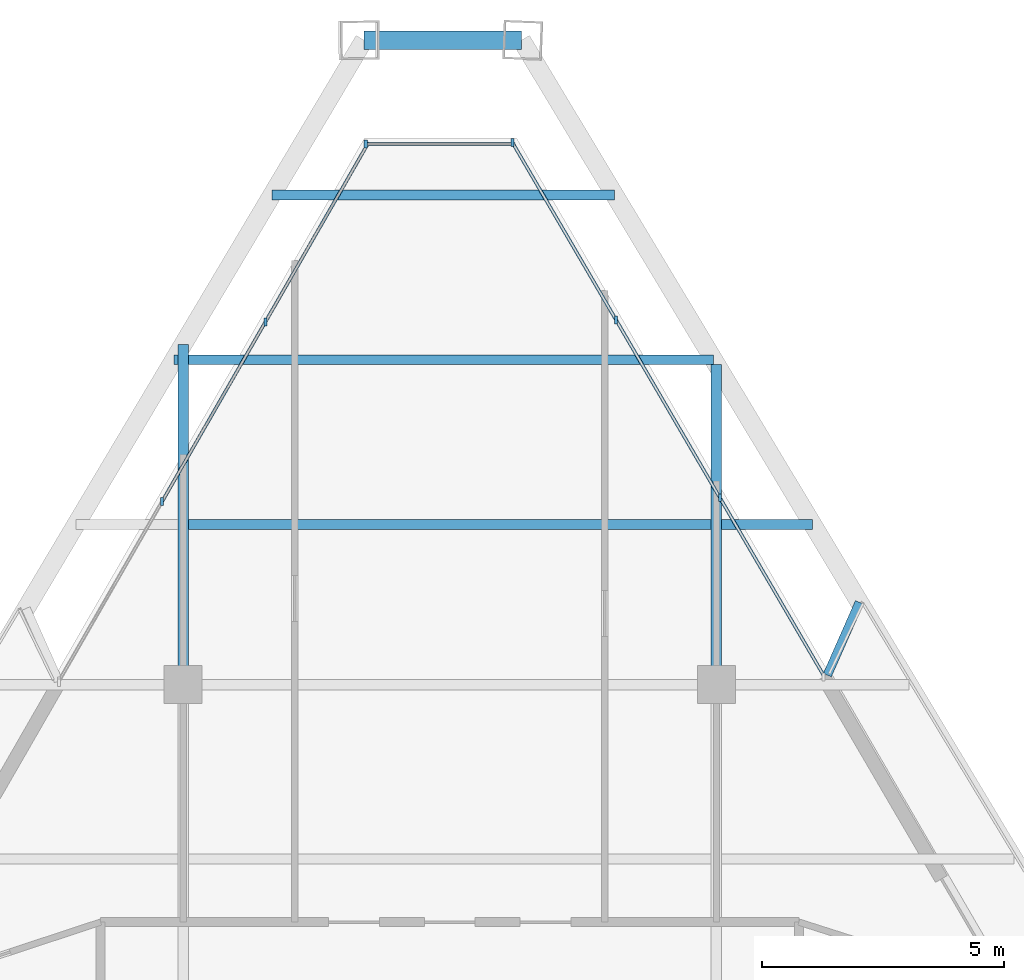
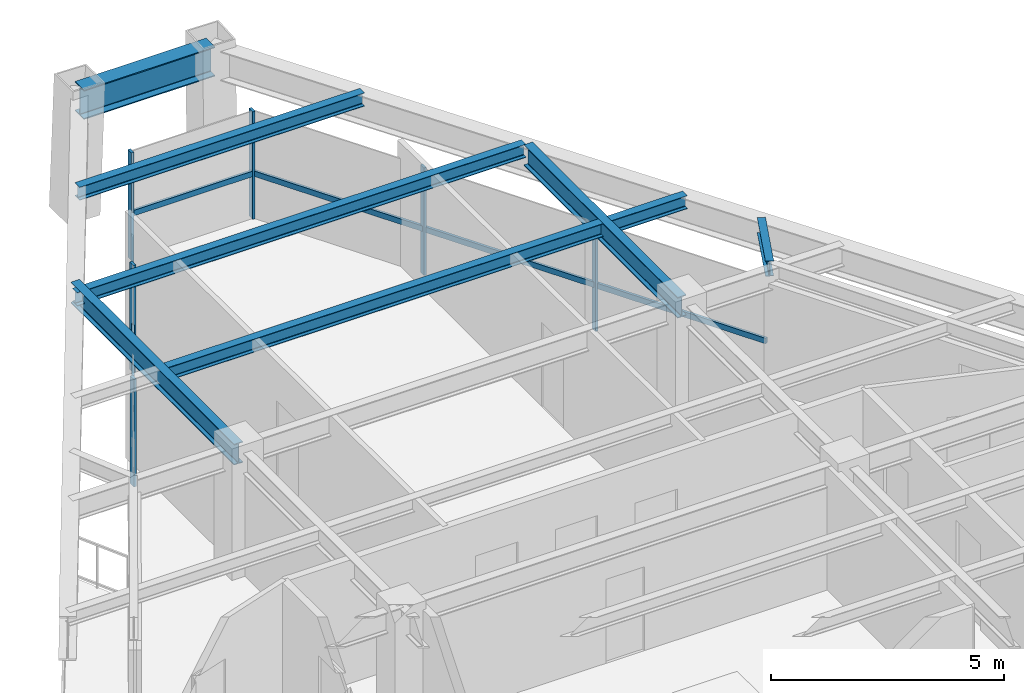
# One storey, part 7 of 13: 12 members, 8 beams, 3 elements without a shape of their own.
"""IFC4 building model written with IfcOpenShell, lengths in metres."""

import ifcopenshell
import ifcopenshell.guid

model = None  # the IFC model being written
_history = None  # IfcOwnerHistory: only IFC2X3 demands one
_inside = {}  # id of a spatial element -> (the spatial element, [elements in it])
_under = {}  # id of a project, library or spatial element -> (it, [spatial elements below it])
_declared = {}  # id of a project -> (the project, [libraries it declares])
_typed = {}  # id of a type object -> (the type object, [elements of that type])
_made_of = {}  # id of a material, layer set ... -> (it, [elements and type objects made of it])


def new_model(schema):
    """Start an empty IFC model of exactly this schema.

    Asked for "IFC4X3", IfcOpenShell would pick the latest addendum, in which some entities
    have other attributes; the version numbers below select the first issue.
    IFC2X3 requires an IfcOwnerHistory on every rooted entity: one is made here for all.
    """
    global model, _history
    if schema == "IFC4X3":
        model = ifcopenshell.file(schema_version=(4, 3, 0, 0))
    else:
        model = ifcopenshell.file(schema=schema)
    _inside.clear()
    _under.clear()
    _declared.clear()
    _typed.clear()
    _made_of.clear()
    _history = None
    if model.schema == "IFC2X3":
        org = make("IfcOrganization", Name="unknown")
        user = make(
            "IfcPersonAndOrganization",
            ThePerson=make("IfcPerson", FamilyName="unknown"),
            TheOrganization=org,
        )
        app = make(
            "IfcApplication",
            ApplicationDeveloper=org,
            Version="unknown",
            ApplicationFullName="unknown",
            ApplicationIdentifier="unknown",
        )
        _history = make(
            "IfcOwnerHistory",
            OwningUser=user,
            OwningApplication=app,
            ChangeAction="ADDED",
            CreationDate=0,
        )
    return model


def make(cls, **values):
    """One entity of the class cls with the attributes given. An attribute that is None is left unset."""
    return model.create_entity(
        cls, **{name: value for name, value in values.items() if value is not None}
    )


def rooted(cls, **values):
    """An entity with a GlobalId (a new one), such as an element, a storey or a relation."""
    return make(cls, GlobalId=ifcopenshell.guid.new(), OwnerHistory=_history, **values)


def si_unit(unit_type, name, prefix=None):
    """IfcSIUnit, for example si_unit("LENGTHUNIT", "METRE", prefix="MILLI")."""
    return make("IfcSIUnit", UnitType=unit_type, Prefix=prefix, Name=name)


def assignment(units):
    """IfcUnitAssignment: the units of a project."""
    return None if units is None else make("IfcUnitAssignment", Units=units)


def point(xyz):
    """IfcCartesianPoint."""
    return None if xyz is None else make("IfcCartesianPoint", Coordinates=xyz)


def direction(xyz):
    """IfcDirection."""
    return None if xyz is None else make("IfcDirection", DirectionRatios=xyz)


def frame(location, z_axis=None, x_axis=None):
    """IfcAxis2Placement3D, a coordinate frame: its origin and axes. An axis left out is left unset."""
    return make(
        "IfcAxis2Placement3D",
        Location=point(location),
        Axis=direction(z_axis),
        RefDirection=direction(x_axis),
    )


def frame_2d(location, x_axis=None):
    """IfcAxis2Placement2D, a coordinate frame in the plane: its origin and x axis."""
    return make(
        "IfcAxis2Placement2D", Location=point(location), RefDirection=direction(x_axis)
    )


def origin():
    """The frame at (0, 0, 0) with its axes left unset."""
    return frame((0.0, 0.0, 0.0))


def origin_2d():
    """The frame at (0, 0) in the plane with its x axis left unset."""
    return frame_2d((0.0, 0.0))


def place(relative_to, where):
    """IfcLocalPlacement: puts the frame where relative to a parent placement (None: the world)."""
    return make(
        "IfcLocalPlacement", PlacementRelTo=relative_to, RelativePlacement=where
    )


def context(
    kind, dimensions, precision=None, world=None, true_north=None, identifier=None
):
    """IfcGeometricRepresentationContext, for example the 3D "Model" context."""
    return make(
        "IfcGeometricRepresentationContext",
        ContextIdentifier=identifier,
        ContextType=kind,
        CoordinateSpaceDimension=dimensions,
        Precision=precision,
        WorldCoordinateSystem=world,
        TrueNorth=true_north,
    )


def subcontext(parent, identifier, kind, view, scale=None):
    """IfcGeometricRepresentationSubContext, for example "Body" below "Model"."""
    return make(
        "IfcGeometricRepresentationSubContext",
        ContextIdentifier=identifier,
        ContextType=kind,
        ParentContext=parent,
        TargetScale=scale,
        TargetView=view,
    )


def project(units=None, contexts=None):
    """IfcProject with its units and contexts."""
    return rooted(
        "IfcProject",
        Name="project",
        RepresentationContexts=contexts,
        UnitsInContext=assignment(units),
    )


def spatial(cls, under=None, at=None, **own):
    """A site, building, storey or space (cls), placed at a placement, below another one or the project."""
    s = rooted(cls, ObjectPlacement=at, **own)
    if under is not None:
        _under.setdefault(under.id(), (under, []))[1].append(s)
    return s


def profile(cls, at=None, kind="AREA", **sizes):
    """A parametric profile (cls). Its sizes go by their IFC names, for example OverallWidth=200.0."""
    return make(cls, ProfileType=kind, Position=at, **sizes)


def rectangle(**sizes):
    """IfcRectangleProfileDef."""
    return profile("IfcRectangleProfileDef", **sizes)


def i_section(**sizes):
    """IfcIShapeProfileDef."""
    return profile("IfcIShapeProfileDef", **sizes)


def extrude(swept, where, along, depth):
    """IfcExtrudedAreaSolid: the profile swept, set in the frame where, extruded along a direction by depth."""
    return make(
        "IfcExtrudedAreaSolid",
        SweptArea=swept,
        Position=where,
        ExtrudedDirection=direction(along),
        Depth=depth,
    )


def shape(context_of_items, identifier, shape_type, items):
    """IfcShapeRepresentation: the items that make up one representation, for example the "Body"."""
    return make(
        "IfcShapeRepresentation",
        ContextOfItems=context_of_items,
        RepresentationIdentifier=identifier,
        RepresentationType=shape_type,
        Items=items,
    )


def source(mapping_origin, context_of_items, identifier, shape_type, items):
    """IfcRepresentationMap: a shape defined once, which mapped items show again and again."""
    return make(
        "IfcRepresentationMap",
        MappingOrigin=mapping_origin,
        MappedRepresentation=shape(context_of_items, identifier, shape_type, items),
    )


def transform(
    local_origin,
    x_axis=None,
    y_axis=None,
    z_axis=None,
    scale=None,
    scale2=None,
    scale3=None,
    uniform=True,
):
    """IfcCartesianTransformationOperator3D, or its non-uniform kind. x_axis, y_axis, z_axis: its Axis1, 2, 3."""
    if uniform:
        return make(
            "IfcCartesianTransformationOperator3D",
            Axis1=direction(x_axis),
            Axis2=direction(y_axis),
            LocalOrigin=point(local_origin),
            Scale=scale,
            Axis3=direction(z_axis),
        )
    return make(
        "IfcCartesianTransformationOperator3DnonUniform",
        Axis1=direction(x_axis),
        Axis2=direction(y_axis),
        LocalOrigin=point(local_origin),
        Scale=scale,
        Axis3=direction(z_axis),
        Scale2=scale2,
        Scale3=scale3,
    )


def mapped(mapping_source, mapping_target):
    """IfcMappedItem: shows the shape of a source again, moved by a transform."""
    return make(
        "IfcMappedItem", MappingSource=mapping_source, MappingTarget=mapping_target
    )


def material(Name=None, Category=None):
    """IfcMaterial."""
    return make("IfcMaterial", Name=Name, Category=Category)


def material_profile(
    of_material, cross_section, Name=None, Category=None, Priority=None
):
    """IfcMaterialProfile: a cross section and its material."""
    return make(
        "IfcMaterialProfile",
        Name=Name,
        Material=of_material,
        Profile=cross_section,
        Priority=Priority,
        Category=Category,
    )


def profile_set(profiles, Name=None, composite=None):
    """IfcMaterialProfileSet."""
    return make(
        "IfcMaterialProfileSet",
        Name=Name,
        MaterialProfiles=profiles,
        CompositeProfile=composite,
    )


def made_of(thing, what):
    """Note that an element or type object is made of a material, layer set ...; save() writes the relation."""
    if what is not None:
        _made_of.setdefault(what.id(), (what, []))[1].append(thing)
    return thing


def type_object(cls, material=None, **own):
    """A type object (cls), such as IfcWallType, which elements share."""
    return made_of(rooted(cls, **own), material)


def type_shapes(of_type, sources):
    """Give a type object the sources (RepresentationMaps) that its elements show as mapped items."""
    of_type.RepresentationMaps = sources


def element(
    cls,
    number,
    at=None,
    inside=None,
    cuts=None,
    type_object=None,
    material=None,
    context=None,
    identifier="Body",
    shape_type=None,
    held_by="IfcProductDefinitionShape",
    body=None,
    shapes=None,
    **own,
):
    """One element of the class cls, such as IfcWall. Its Tag is "e" and its number.

    at: its placement. inside: the storey or other place that contains it. cuts: it is an
    opening in that element (IfcRelVoidsElement). A single representation is given by context,
    identifier, shape_type and body (its items); several are given by shapes. held_by: the class
    of the entity that holds the representations. save() writes the other relations.
    """
    e = rooted(cls, Tag="e%d" % number, ObjectPlacement=at, **own)
    if body is not None:
        shapes = [shape(context, identifier, shape_type, body)]
    if shapes is not None:
        e.Representation = make(held_by, Representations=shapes)
    if inside is not None:
        _inside.setdefault(inside.id(), (inside, []))[1].append(e)
    if cuts is not None:
        rooted(
            "IfcRelVoidsElement", RelatingBuildingElement=cuts, RelatedOpeningElement=e
        )
    if type_object is not None:
        _typed.setdefault(type_object.id(), (type_object, []))[1].append(e)
    return made_of(e, material)


def aggregate(whole, parts):
    """IfcRelAggregates: a whole, such as a stair, and the parts it consists of."""
    return rooted("IfcRelAggregates", RelatingObject=whole, RelatedObjects=parts)


def save(model, path):
    """Write the relations noted so far, then the file.

    IfcRelAggregates (storeys below a building ...), IfcRelContainedInSpatialStructure (elements
    in a storey), IfcRelDefinesByType, IfcRelAssociatesMaterial and IfcRelDeclares: one each for
    every whole, place, type object, material and project.
    """
    for whole, parts in _under.values():
        aggregate(whole, parts)
    for where, things in _inside.values():
        rooted(
            "IfcRelContainedInSpatialStructure",
            RelatedElements=things,
            RelatingStructure=where,
        )
    for kind, things in _typed.values():
        rooted("IfcRelDefinesByType", RelatedObjects=things, RelatingType=kind)
    for what, things in _made_of.values():
        rooted("IfcRelAssociatesMaterial", RelatedObjects=things, RelatingMaterial=what)
    for by, libraries in _declared.values():
        rooted("IfcRelDeclares", RelatingContext=by, RelatedDefinitions=libraries)
    model.write(path)


model = new_model("IFC4")

# Units and contexts
model_context = context("Model", 3, precision=1e-05, world=origin(), true_north=direction((0.0, 1.0)))
body_context = subcontext(model_context, "Body", "Model", "MODEL_VIEW")
ifc_project = project(units=[si_unit("LENGTHUNIT", "METRE"), si_unit("AREAUNIT", "SQUARE_METRE"), si_unit("VOLUMEUNIT", "CUBIC_METRE"), si_unit("PLANEANGLEUNIT", "RADIAN"), si_unit("MASSUNIT", "GRAM", prefix="KILO")], contexts=[model_context])

# Site, building, storey
site_placement = place(None, origin())
site = spatial("IfcSite", under=ifc_project, at=site_placement, CompositionType="ELEMENT")
building_placement = place(site_placement, origin())
building = spatial("IfcBuilding", under=site, at=building_placement, Name="Varnakhor Terracotta Tower", CompositionType="ELEMENT")
storey_placement = place(building_placement, frame((0.0, 0.0, 286.800048828125)))
storey = spatial("IfcBuildingStorey", under=building, at=storey_placement, Name="L75", CompositionType="ELEMENT", Elevation=286.800048828125)

# Beams
ifc_material_1 = material(Name="Steel S355", Category="steel")
ifc_material_profile_1 = material_profile(ifc_material_1, i_section(OverallWidth=0.202880859375, OverallDepth=0.346923828125, WebThickness=0.0078125, FlangeThickness=0.013427734375, FilletRadius=0.01806640625, at=origin_2d()), Name="W14X43")
ifc_profile_set_1 = profile_set([ifc_material_profile_1], Name="Steel S355")
beam_type_1 = type_object("IfcBeamType", Name="JST-W14X43", PredefinedType="JOIST", material=ifc_profile_set_1)
shared_shape_1 = source(origin(), body_context, "Body", "SweptSolid", [
    extrude(i_section(OverallWidth=0.202880859375, OverallDepth=0.346923828125, WebThickness=0.0078125, FlangeThickness=0.013427734375, FilletRadius=0.01806640625, at=origin_2d()), origin(), (0.0, 0.0, 1.0), 10.7939453125),
])
beam_1_placement = place(storey_placement, frame((-5.39697265625, 34.800048828125, 3.06640625), z_axis=(1.0, 0.0, 0.0), x_axis=(0.0, 1.0, 0.0)))
element("IfcBeam", 1, at=beam_1_placement, inside=storey, type_object=beam_type_1, Name="L75 Composite Floor Joist 7-2", PredefinedType="JOIST", context=body_context, shape_type="MappedRepresentation", body=[
    mapped(shared_shape_1, transform((0.0, 0.0, 0.0), scale=1.0)),
])
ifc_material_profile_2 = material_profile(ifc_material_1, i_section(OverallWidth=0.381103515625, OverallDepth=0.77294921875, WebThickness=0.01708984375, FlangeThickness=0.027099609375, FilletRadius=0.01806640625, at=origin_2d()), Name="W30X173")
ifc_profile_set_2 = profile_set([ifc_material_profile_2], Name="Steel S355")
beam_type_2 = type_object("IfcBeamType", Name="BM-W30X173", PredefinedType="BEAM", material=ifc_profile_set_2)
shared_shape_2 = source(origin(), body_context, "Body", "SweptSolid", [
    extrude(i_section(OverallWidth=0.381103515625, OverallDepth=0.77294921875, WebThickness=0.01708984375, FlangeThickness=0.027099609375, FilletRadius=0.01806640625, at=origin_2d()), origin(), (0.0, 0.0, 1.0), 3.24951171875),
])
beam_2_placement = place(storey_placement, frame((1.480224609375, 44.79248046875, 2.853515625), z_axis=(-1.0, 0.0, 0.0), x_axis=(0.0, -1.0, 0.0)))
element("IfcBeam", 2, at=beam_2_placement, inside=storey, type_object=beam_type_2, Name="L75 Perimeter Spandrel 5", PredefinedType="BEAM", context=body_context, shape_type="MappedRepresentation", body=[
    mapped(shared_shape_2, transform((0.0, 0.0, 0.0), scale=1.0)),
])
ifc_material_profile_3 = material_profile(ifc_material_1, i_section(OverallWidth=0.214111328125, OverallDepth=0.549072265625, WebThickness=0.014892578125, FlangeThickness=0.02392578125, FilletRadius=0.01806640625, at=origin_2d()), Name="W21X93")
ifc_profile_set_3 = profile_set([ifc_material_profile_3], Name="Steel S355")
beam_type_3 = type_object("IfcBeamType", Name="BM-W21X93", PredefinedType="BEAM", material=ifc_profile_set_3)
shared_shape_3 = source(origin(), body_context, "Body", "SweptSolid", [
    extrude(i_section(OverallWidth=0.214111328125, OverallDepth=0.549072265625, WebThickness=0.014892578125, FlangeThickness=0.02392578125, FilletRadius=0.01806640625, at=origin_2d()), origin(), (0.0, 0.0, 1.0), 7.018798828125),
])
beam_3_placement = place(storey_placement, frame((-5.5, 31.5, 2.96533203125), z_axis=(0.0, 1.0, 0.0), x_axis=(-1.0, 0.0, 0.0)))
element("IfcBeam", 3, at=beam_3_placement, inside=storey, type_object=beam_type_3, Name="L75 Primary Girder NS3-W", PredefinedType="BEAM", context=body_context, shape_type="MappedRepresentation", body=[
    mapped(shared_shape_3, transform((0.0, 0.0, 0.0), scale=1.0)),
])
shared_shape_4 = source(origin(), body_context, "Body", "SweptSolid", [
    extrude(i_section(OverallWidth=0.214111328125, OverallDepth=0.549072265625, WebThickness=0.014892578125, FlangeThickness=0.02392578125, FilletRadius=0.01806640625, at=origin_2d()), origin(), (0.0, 0.0, 1.0), 6.605224609375),
])
beam_4_placement = place(storey_placement, frame((5.5, 31.5, 2.96533203125), z_axis=(0.0, 1.0, 0.0), x_axis=(-1.0, 0.0, 0.0)))
element("IfcBeam", 4, at=beam_4_placement, inside=storey, type_object=beam_type_3, Name="L75 Primary Girder NS3-E", PredefinedType="BEAM", context=body_context, shape_type="MappedRepresentation", body=[
    mapped(shared_shape_4, transform((0.0, 0.0, 0.0), scale=1.0)),
])
shared_shape_5 = source(origin(), body_context, "Body", "SweptSolid", [
    extrude(i_section(OverallWidth=0.202880859375, OverallDepth=0.346923828125, WebThickness=0.0078125, FlangeThickness=0.013427734375, FilletRadius=0.01806640625, at=origin_2d()), origin(), (0.0, 0.0, 1.0), 1.8837890625),
])
beam_5_placement = place(storey_placement, frame((5.60302734375, 34.800048828125, 3.06640625), z_axis=(1.0, 0.0, 0.0), x_axis=(0.0, 1.0, 0.0)))
element("IfcBeam", 5, at=beam_5_placement, inside=storey, type_object=beam_type_1, Name="L75 Composite Floor Joist 7-3", PredefinedType="JOIST", context=body_context, shape_type="MappedRepresentation", body=[
    mapped(shared_shape_5, transform((0.0, 0.0, 0.0), scale=1.0)),
])
shared_shape_6 = source(origin(), body_context, "Body", "SweptSolid", [
    extrude(i_section(OverallWidth=0.202880859375, OverallDepth=0.346923828125, WebThickness=0.0078125, FlangeThickness=0.013427734375, FilletRadius=0.01806640625, at=origin_2d()), origin(), (0.0, 0.0, 1.0), 11.1328125),
])
beam_6_placement = place(storey_placement, frame((-5.689697265625, 38.199951171875, 3.06640625), z_axis=(1.0, 0.0, 0.0), x_axis=(0.0, 1.0, 0.0)))
element("IfcBeam", 6, at=beam_6_placement, inside=storey, type_object=beam_type_1, Name="L75 Composite Floor Joist 8-1", PredefinedType="JOIST", context=body_context, shape_type="MappedRepresentation", body=[
    mapped(shared_shape_6, transform((0.0, 0.0, 0.0), scale=1.0)),
])
shared_shape_7 = source(origin(), body_context, "Body", "SweptSolid", [
    extrude(i_section(OverallWidth=0.202880859375, OverallDepth=0.346923828125, WebThickness=0.0078125, FlangeThickness=0.013427734375, FilletRadius=0.01806640625, at=origin_2d()), origin(), (0.0, 0.0, 1.0), 7.067138671875),
])
beam_7_placement = place(storey_placement, frame((-3.667724609375, 41.60009765625, 3.06640625), z_axis=(1.0, 0.0, 0.0), x_axis=(0.0, 1.0, 0.0)))
element("IfcBeam", 7, at=beam_7_placement, inside=storey, type_object=beam_type_1, Name="L75 Composite Floor Joist 9-1", PredefinedType="JOIST", context=body_context, shape_type="MappedRepresentation", body=[
    mapped(shared_shape_7, transform((0.0, 0.0, 0.0), scale=1.0)),
])

# Curtain wall, members
ifc_material_2 = material(Name="Anodised Aluminium Curtain Wall System", Category="aluminium")
curtain_wall_type = type_object("IfcCurtainWallType", Name="CW-SYS-HOTEL-LOGGIA", PredefinedType="NOTDEFINED", material=ifc_material_2)
curtain_wall_1_placement = place(storey_placement, origin())
curtain_wall_1 = element("IfcCurtainWall", 8, at=curtain_wall_1_placement, inside=storey, type_object=curtain_wall_type, Name="L75 W Facet Curtain Wall 2", PredefinedType="NOTDEFINED")
ifc_material_3 = material(Name="Anodised Aluminium 6063-T6", Category="aluminium")
ifc_material_profile_4 = material_profile(ifc_material_3, rectangle(XDim=0.06494140625, YDim=0.159912109375, at=origin_2d()), Name="ALU MULLION 65x160")
ifc_profile_set_4 = profile_set([ifc_material_profile_4], Name="Anodised Aluminium 6063-T6")
member_type_1 = type_object("IfcMemberType", Name="CWM-04", PredefinedType="MULLION", material=ifc_profile_set_4)
shared_shape_8 = source(origin(), body_context, "Body", "SweptSolid", [
    extrude(rectangle(XDim=0.06494140625, YDim=0.159912109375, at=origin_2d()), origin(), (0.0, 0.0, 1.0), 2.820068359375),
])
type_shapes(member_type_1, [shared_shape_8])
member_1_placement = place(storey_placement, frame((-5.9326171875, 35.27587890625, 0.0), z_axis=(0.0, 0.0, 1.0), x_axis=(1.0, 0.0, 0.0)))
member_1 = element("IfcMember", 9, at=member_1_placement, type_object=member_type_1, Name="L75 W Facet Curtain Wall 2 Mullion 2", PredefinedType="MULLION", context=body_context, shape_type="MappedRepresentation", body=[
    mapped(shared_shape_8, transform((0.0, 0.0, 0.0), scale=1.0)),
])
member_2_placement = place(storey_placement, frame((-3.802490234375, 38.979736328125, 0.0), z_axis=(0.0, 0.0, 1.0), x_axis=(1.0, 0.0, 0.0)))
member_2 = element("IfcMember", 10, at=member_2_placement, type_object=member_type_1, Name="L75 W Facet Curtain Wall 2 Mullion 3", PredefinedType="MULLION", context=body_context, shape_type="MappedRepresentation", body=[
    mapped(shared_shape_8, transform((0.0, 0.0, 0.0), scale=1.0)),
])

# Curtain wall, member
curtain_wall_2_placement = place(storey_placement, origin())
curtain_wall_2 = element("IfcCurtainWall", 11, at=curtain_wall_2_placement, inside=storey, type_object=curtain_wall_type, Name="L75 Facet Curtain Wall 2", PredefinedType="NOTDEFINED")
member_3_placement = place(storey_placement, frame((-1.731689453125, 42.6494140625, 0.0), z_axis=(0.0, 0.0, 1.0), x_axis=(1.0, 0.0, 0.0)))
member_3 = element("IfcMember", 12, at=member_3_placement, type_object=member_type_1, Name="L75 Facet Curtain Wall 2 Mullion 1", PredefinedType="MULLION", context=body_context, shape_type="MappedRepresentation", body=[
    mapped(shared_shape_8, transform((0.0, 0.0, 0.0), scale=1.0)),
])

# Curtain wall, members
curtain_wall_3_placement = place(storey_placement, origin())
curtain_wall_3 = element("IfcCurtainWall", 13, at=curtain_wall_3_placement, inside=storey, type_object=curtain_wall_type, Name="L75 E Facet Curtain Wall 1", PredefinedType="NOTDEFINED")
member_4_placement = place(storey_placement, frame((1.29150390625, 42.68310546875, 0.0), z_axis=(0.0, 0.0, 1.0), x_axis=(1.0, 0.0, 0.0)))
member_4 = element("IfcMember", 14, at=member_4_placement, type_object=member_type_1, Name="L75 E Facet Curtain Wall 1 Mullion 1", PredefinedType="MULLION", context=body_context, shape_type="MappedRepresentation", body=[
    mapped(shared_shape_8, transform((0.0, 0.0, 0.0), scale=1.0)),
])
member_5_placement = place(storey_placement, frame((3.431396484375, 39.01904296875, 0.0), z_axis=(0.0, 0.0, 1.0), x_axis=(1.0, 0.0, 0.0)))
member_5 = element("IfcMember", 15, at=member_5_placement, type_object=member_type_1, Name="L75 E Facet Curtain Wall 1 Mullion 2", PredefinedType="MULLION", context=body_context, shape_type="MappedRepresentation", body=[
    mapped(shared_shape_8, transform((0.0, 0.0, 0.0), scale=1.0)),
])
member_6_placement = place(storey_placement, frame((5.57080078125, 35.355224609375, 0.0), z_axis=(0.0, 0.0, 1.0), x_axis=(1.0, 0.0, 0.0)))
member_6 = element("IfcMember", 16, at=member_6_placement, type_object=member_type_1, Name="L75 E Facet Curtain Wall 1 Mullion 3", PredefinedType="MULLION", context=body_context, shape_type="MappedRepresentation", body=[
    mapped(shared_shape_8, transform((0.0, 0.0, 0.0), scale=1.0)),
])

# Beam
ifc_material_profile_5 = material_profile(ifc_material_1, i_section(OverallWidth=0.179931640625, OverallDepth=0.39990234375, WebThickness=0.008544921875, FlangeThickness=0.013427734375, FilletRadius=0.01806640625, at=origin_2d()), Name="IPE400")
ifc_profile_set_5 = profile_set([ifc_material_profile_5], Name="Steel S355")
beam_type_4 = type_object("IfcBeamType", Name="JST-IPE400", PredefinedType="JOIST", material=ifc_profile_set_5)
shared_shape_9 = source(origin(), body_context, "Body", "SweptSolid", [
    extrude(i_section(OverallWidth=0.179931640625, OverallDepth=0.39990234375, WebThickness=0.008544921875, FlangeThickness=0.013427734375, FilletRadius=0.01806640625, at=origin_2d()), origin(), (0.0, 0.0, 1.0), 1.64208984375),
])
beam_8_placement = place(storey_placement, frame((7.78759765625, 31.694580078125, 3.0400390625), z_axis=(0.403640206576, 0.914917801573, 0.0), x_axis=(-0.914917801573, 0.403640206576, 0.0)))
element("IfcBeam", 17, at=beam_8_placement, inside=storey, type_object=beam_type_4, Name="L76 E Loggia Tie Beam 1", PredefinedType="JOIST", context=body_context, shape_type="MappedRepresentation", body=[
    mapped(shared_shape_9, transform((0.0, 0.0, 0.0), scale=1.0)),
])

# Member
ifc_material_profile_6 = material_profile(ifc_material_3, rectangle(XDim=0.06494140625, YDim=0.14501953125, at=origin_2d()), Name="ALU TRANSOM 65x145")
ifc_profile_set_6 = profile_set([ifc_material_profile_6], Name="Anodised Aluminium 6063-T6")
member_type_2 = type_object("IfcMemberType", Name="CWT-04", PredefinedType="USERDEFINED", material=ifc_profile_set_6)
shared_shape_10 = source(origin(), body_context, "Body", "SweptSolid", [
    extrude(rectangle(XDim=0.06494140625, YDim=0.14501953125, at=origin_2d()), origin(), (0.0, 0.0, 1.0), 4.242919921875),
])
member_7_placement = place(storey_placement, frame((5.57080078125, 35.355224609375, 1.184326171875), z_axis=(0.504339620541, -0.863505383395, 0.0), x_axis=(0.863505383395, 0.504339620541, 0.0)))
member_7 = element("IfcMember", 18, at=member_7_placement, type_object=member_type_2, Name="L75 E Facet Curtain Wall 1 Transom 3", ObjectType="TRANSOM", PredefinedType="USERDEFINED", context=body_context, shape_type="MappedRepresentation", body=[
    mapped(shared_shape_10, transform((0.0, 0.0, 0.0), scale=1.0)),
])

shared_shape_11 = source(origin(), body_context, "Body", "SweptSolid", [
    extrude(rectangle(XDim=0.06494140625, YDim=0.14501953125, at=origin_2d()), origin(), (0.0, 0.0, 1.0), 4.2431640625),
])
member_8_placement = place(storey_placement, frame((1.29150390625, 42.68310546875, 1.184326171875), z_axis=(0.504314562829, -0.863520018134, 0.0), x_axis=(0.863520018134, 0.504314562829, 0.0)))
member_8 = element("IfcMember", 19, at=member_8_placement, type_object=member_type_2, Name="L75 E Facet Curtain Wall 1 Transom 1", ObjectType="TRANSOM", PredefinedType="USERDEFINED", context=body_context, shape_type="MappedRepresentation", body=[
    mapped(shared_shape_11, transform((0.0, 0.0, 0.0), scale=1.0)),
])

shared_shape_12 = source(origin(), body_context, "Body", "SweptSolid", [
    extrude(rectangle(XDim=0.06494140625, YDim=0.14501953125, at=origin_2d()), origin(), (0.0, 0.0, 1.0), 4.272705078125),
])
member_9_placement = place(storey_placement, frame((-5.9326171875, 35.27587890625, 1.184326171875), z_axis=(0.498543050274, 0.866864941628, 0.0), x_axis=(-0.866864941628, 0.498543050274, 0.0)))
member_9 = element("IfcMember", 20, at=member_9_placement, type_object=member_type_2, Name="L75 W Facet Curtain Wall 2 Transom 2", ObjectType="TRANSOM", PredefinedType="USERDEFINED", context=body_context, shape_type="MappedRepresentation", body=[
    mapped(shared_shape_12, transform((0.0, 0.0, 0.0), scale=1.0)),
])

shared_shape_13 = source(origin(), body_context, "Body", "SweptSolid", [
    extrude(rectangle(XDim=0.06494140625, YDim=0.14501953125, at=origin_2d()), origin(), (0.0, 0.0, 1.0), 4.2724609375),
])
member_10_placement = place(storey_placement, frame((-3.802490234375, 38.979736328125, 1.184326171875), z_axis=(0.498500110607, 0.866889635262, 0.0), x_axis=(-0.866889635262, 0.498500110607, 0.0)))
member_10 = element("IfcMember", 21, at=member_10_placement, type_object=member_type_2, Name="L75 W Facet Curtain Wall 2 Transom 3", ObjectType="TRANSOM", PredefinedType="USERDEFINED", context=body_context, shape_type="MappedRepresentation", body=[
    mapped(shared_shape_13, transform((0.0, 0.0, 0.0), scale=1.0)),
])

aggregate(curtain_wall_1, [member_1, member_9, member_2, member_10])

shared_shape_14 = source(origin(), body_context, "Body", "SweptSolid", [
    extrude(rectangle(XDim=0.06494140625, YDim=0.14501953125, at=origin_2d()), origin(), (0.0, 0.0, 1.0), 3.081787109375),
])
member_11_placement = place(storey_placement, frame((-1.731689453125, 42.6494140625, 1.184326171875), z_axis=(1.0, 0.0, 0.0), x_axis=(0.0, 1.0, 0.0)))
member_11 = element("IfcMember", 22, at=member_11_placement, type_object=member_type_2, Name="L75 Facet Curtain Wall 2 Transom 1", ObjectType="TRANSOM", PredefinedType="USERDEFINED", context=body_context, shape_type="MappedRepresentation", body=[
    mapped(shared_shape_14, transform((0.0, 0.0, 0.0), scale=1.0)),
])

aggregate(curtain_wall_2, [member_3, member_11])

shared_shape_15 = source(origin(), body_context, "Body", "SweptSolid", [
    extrude(rectangle(XDim=0.06494140625, YDim=0.14501953125, at=origin_2d()), origin(), (0.0, 0.0, 1.0), 4.24267578125),
])
member_12_placement = place(storey_placement, frame((3.431396484375, 39.01904296875, 1.184326171875), z_axis=(0.504253804382, -0.863555499528, 0.0), x_axis=(0.863555499528, 0.504253804382, 0.0)))
member_12 = element("IfcMember", 23, at=member_12_placement, type_object=member_type_2, Name="L75 E Facet Curtain Wall 1 Transom 2", ObjectType="TRANSOM", PredefinedType="USERDEFINED", context=body_context, shape_type="MappedRepresentation", body=[
    mapped(shared_shape_15, transform((0.0, 0.0, 0.0), scale=1.0)),
])

aggregate(curtain_wall_3, [member_4, member_8, member_5, member_12, member_6, member_7])

save(model, "model.ifc")
